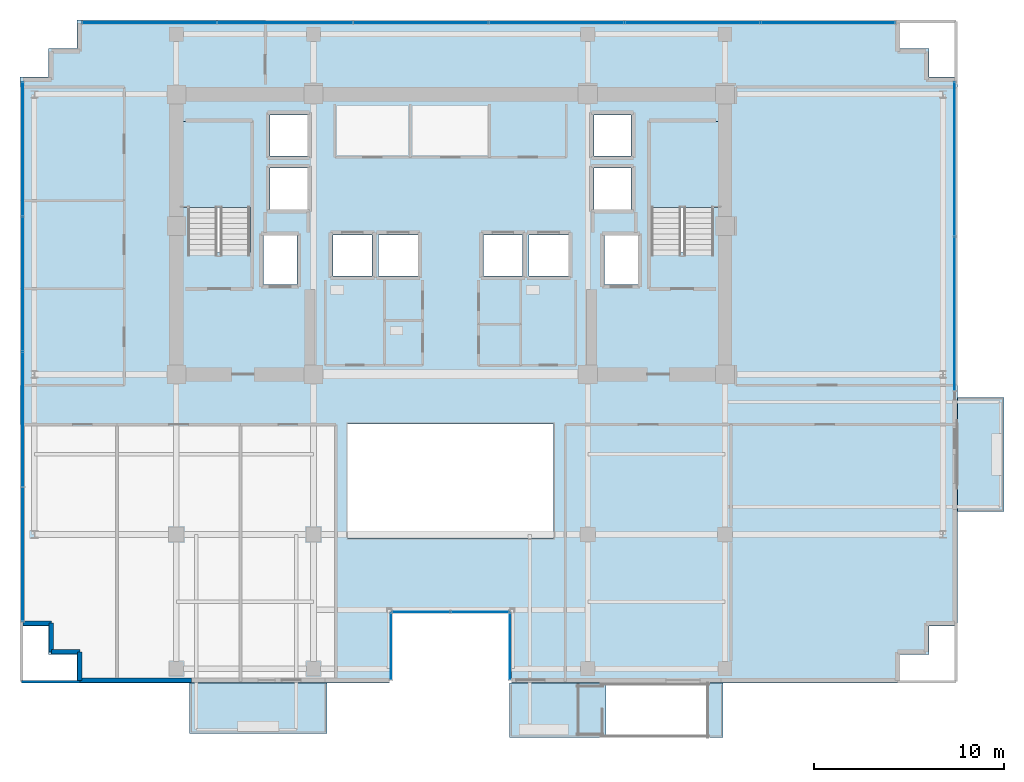
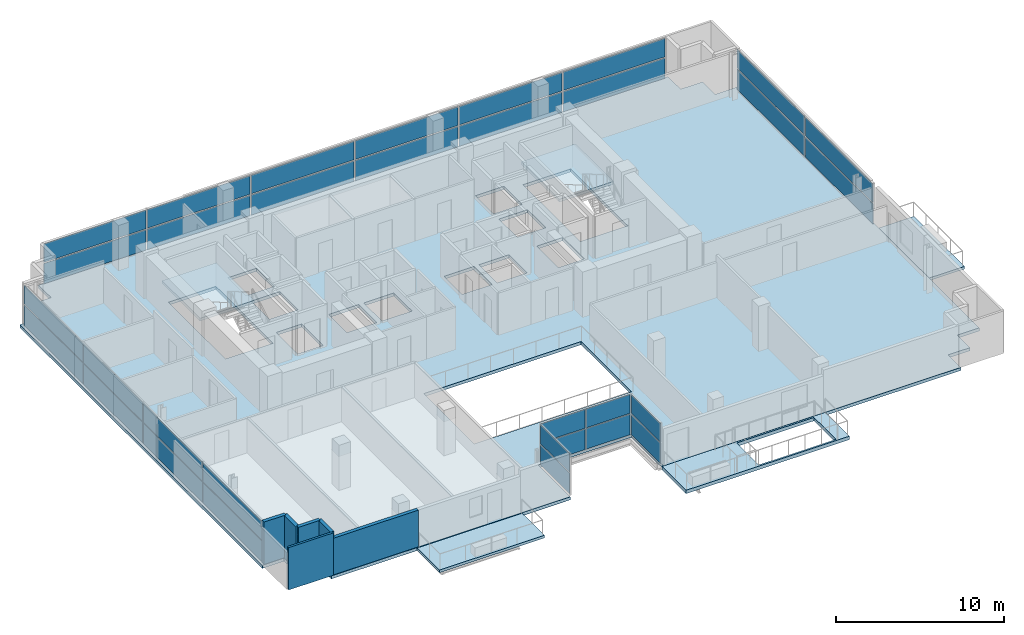
# One storey, part 15 of 23: 32 plates, 6 slabs, 6 walls, 8 elements without a shape of their own.
"""IFC4 building model written with IfcOpenShell, lengths in metres."""

from ifc_helpers import new_model, si_unit, direction, frame, frame_2d, origin, origin_2d, place, context, subcontext, project, spatial, polyline, rectangle, outline, extrude, source, transform, mapped, material, layer, layer_set, type_object, element, aggregate, save


model = new_model("IFC4")

# Units and contexts
model_context = context("Model", 3, precision=1e-05, world=origin(), true_north=direction((0.0, 1.0)))
body_context = subcontext(model_context, "Body", "Model", "MODEL_VIEW")
ifc_project = project(units=[si_unit("LENGTHUNIT", "METRE"), si_unit("AREAUNIT", "SQUARE_METRE"), si_unit("VOLUMEUNIT", "CUBIC_METRE"), si_unit("PLANEANGLEUNIT", "RADIAN"), si_unit("MASSUNIT", "GRAM", prefix="KILO")], contexts=[model_context])

# Site, building, storey
site_placement = place(None, origin())
site = spatial("IfcSite", under=ifc_project, at=site_placement, CompositionType="ELEMENT")
building_placement = place(site_placement, origin())
building = spatial("IfcBuilding", under=site, at=building_placement, Name="Zarnakvel Exchange Tower", CompositionType="ELEMENT")
storey_placement = place(building_placement, frame((0.0, 0.0, 175.89990234375)))
storey = spatial("IfcBuildingStorey", under=building, at=storey_placement, Name="L49", CompositionType="ELEMENT", Elevation=175.89990234375)

# Stair, slab
ifc_material_1 = material(Name="Concrete C40/50", Category="concrete")
stair_type = type_object("IfcStairType", Name="STR-01", PredefinedType="HALF_TURN_STAIR", material=ifc_material_1)
stair_1_placement = place(storey_placement, origin())
stair_1 = element("IfcStair", 1, at=stair_1_placement, inside=storey, type_object=stair_type, Name="L49 Protected Core Exit Stair ST-01", PredefinedType="HALF_TURN_STAIR")
ifc_layer_1 = layer(ifc_material_1, 0.199951171875)
ifc_layer_set_1 = layer_set([ifc_layer_1], Name="Concrete C40/50")
slab_type_1 = type_object("IfcSlabType", Name="LDG-01", PredefinedType="LANDING", material=ifc_layer_set_1)
slab_1_placement = place(storey_placement, frame((0.0, 0.0, 1.4501953125)))
slab_1 = element("IfcSlab", 2, at=slab_1_placement, type_object=slab_type_1, Name="ST-01 landing 1", PredefinedType="LANDING", context=body_context, shape_type="SweptSolid", body=[
    extrude(outline(polyline([(-14.18994140625, 7.570068359375), (-10.4599609375, 7.570068359375), (-10.4599609375, 12.080078125), (-14.18994140625, 12.080078125), (-14.18994140625, 7.570068359375)])), origin(), (0.0, 0.0, 1.0), 0.199951171875),
])
aggregate(stair_1, [slab_1])

stair_2_placement = place(storey_placement, origin())
stair_2 = element("IfcStair", 3, at=stair_2_placement, inside=storey, type_object=stair_type, Name="L49 Protected Core Exit Stair ST-02", PredefinedType="HALF_TURN_STAIR")
slab_2_placement = place(storey_placement, frame((0.0, 0.0, 1.4501953125)))
slab_2 = element("IfcSlab", 4, at=slab_2_placement, type_object=slab_type_1, Name="ST-02 landing 1", PredefinedType="LANDING", context=body_context, shape_type="SweptSolid", body=[
    extrude(outline(polyline([(10.4599609375, 7.570068359375), (14.18994140625, 7.570068359375), (14.18994140625, 12.080078125), (10.4599609375, 12.080078125), (10.4599609375, 7.570068359375)])), origin(), (0.0, 0.0, 1.0), 0.199951171875),
])
aggregate(stair_2, [slab_2])

# Slabs
ifc_layer_2 = layer(ifc_material_1, 0.22509765625)
ifc_layer_set_2 = layer_set([ifc_layer_2], Name="Concrete C40/50")
slab_type_2 = type_object("IfcSlabType", Name="SL-04", PredefinedType="FLOOR", material=ifc_layer_set_2)
slab_3_placement = place(storey_placement, frame((0.0, 0.0, -0.224853515625)))
element("IfcSlab", 5, at=slab_3_placement, inside=storey, type_object=slab_type_2, Name="L49 Primary Structural Floor Slab", PredefinedType="FLOOR", context=body_context, shape_type="SweptSolid", body=[
    extrude(outline(polyline([(-22.60009765625, -14.39990234375), (-21.10009765625, -14.39990234375), (-21.10009765625, -15.89990234375), (-19.60009765625, -15.89990234375), (-19.60009765625, -17.39990234375), (-3.199951171875, -17.39990234375), (-3.199951171875, -13.60009765625), (3.199951171875, -13.60009765625), (3.199951171875, -17.39990234375), (23.60009765625, -17.39990234375), (23.60009765625, -15.89990234375), (25.10009765625, -15.89990234375), (25.10009765625, -14.39990234375), (26.60009765625, -14.39990234375), (26.60009765625, 14.39990234375), (25.10009765625, 14.39990234375), (25.10009765625, 15.89990234375), (23.60009765625, 15.89990234375), (23.60009765625, 17.39990234375), (-19.60009765625, 17.39990234375), (-19.60009765625, 15.89990234375), (-21.10009765625, 15.89990234375), (-21.10009765625, 14.39990234375), (-22.60009765625, 14.39990234375), (-22.60009765625, -14.39990234375)]), holes=[polyline([(-5.39990234375, -9.800048828125), (5.39990234375, -9.800048828125), (5.39990234375, -3.800048828125), (-5.39990234375, -3.800048828125), (-5.39990234375, -9.800048828125)]), polyline([(-13.800048828125, 5.2099609375), (-10.5400390625, 5.2099609375), (-10.5400390625, 12.0), (-13.800048828125, 12.0), (-13.800048828125, 5.2099609375)]), polyline([(10.5400390625, 5.2099609375), (13.800048828125, 5.2099609375), (13.800048828125, 12.0), (10.5400390625, 12.0), (10.5400390625, 5.2099609375)]), polyline([(-9.830078125, 3.52001953125), (-8.070068359375, 3.52001953125), (-8.070068359375, 6.080078125), (-9.830078125, 6.080078125), (-9.830078125, 3.52001953125)]), polyline([(8.070068359375, 3.52001953125), (9.830078125, 3.52001953125), (9.830078125, 6.080078125), (8.070068359375, 6.080078125), (8.070068359375, 3.52001953125)]), polyline([(-6.179931640625, 3.969970703125), (-4.1201171875, 3.969970703125), (-4.1201171875, 6.1298828125), (-6.179931640625, 6.1298828125), (-6.179931640625, 3.969970703125)]), polyline([(-3.780029296875, 3.969970703125), (-1.719970703125, 3.969970703125), (-1.719970703125, 6.1298828125), (-3.780029296875, 6.1298828125), (-3.780029296875, 3.969970703125)]), polyline([(1.719970703125, 3.969970703125), (3.780029296875, 3.969970703125), (3.780029296875, 6.1298828125), (1.719970703125, 6.1298828125), (1.719970703125, 3.969970703125)]), polyline([(4.1201171875, 3.969970703125), (6.179931640625, 3.969970703125), (6.179931640625, 6.1298828125), (4.1201171875, 6.1298828125), (4.1201171875, 3.969970703125)]), polyline([(-9.47998046875, 7.469970703125), (-7.52001953125, 7.469970703125), (-7.52001953125, 9.6298828125), (-9.47998046875, 9.6298828125), (-9.47998046875, 7.469970703125)]), polyline([(-9.47998046875, 10.27001953125), (-7.52001953125, 10.27001953125), (-7.52001953125, 12.429931640625), (-9.47998046875, 12.429931640625), (-9.47998046875, 10.27001953125)]), polyline([(7.52001953125, 7.469970703125), (9.47998046875, 7.469970703125), (9.47998046875, 9.6298828125), (7.52001953125, 9.6298828125), (7.52001953125, 7.469970703125)]), polyline([(7.52001953125, 10.27001953125), (9.47998046875, 10.27001953125), (9.47998046875, 12.429931640625), (7.52001953125, 12.429931640625), (7.52001953125, 10.27001953125)])]), origin(), (0.0, 0.0, 1.0), 0.224853515625),
])
ifc_layer_3 = layer(ifc_material_1, 0.25)
ifc_layer_set_3 = layer_set([ifc_layer_3], Name="Concrete C40/50")
slab_type_3 = type_object("IfcSlabType", Name="SL-07", PredefinedType="ROOF", material=ifc_layer_set_3)
slab_4_placement = place(storey_placement, frame((0.0, 0.0, -0.25)))
element("IfcSlab", 6, at=slab_4_placement, inside=storey, type_object=slab_type_3, Name="L49 Spiral Sky-Terrace Outdoor Slab (SE)", PredefinedType="ROOF", context=body_context, shape_type="SweptSolid", body=[
    extrude(outline(polyline([(3.10009765625, -20.260009765625), (14.300048828125, -20.260009765625), (14.300048828125, -17.39990234375), (3.10009765625, -17.39990234375), (3.10009765625, -20.260009765625)]), holes=[polyline([(8.159912109375, -20.139892578125), (13.449951171875, -20.139892578125), (13.449951171875, -17.52001953125), (8.159912109375, -17.52001953125), (8.159912109375, -20.139892578125)])]), origin(), (0.0, 0.0, 1.0), 0.25),
])
ifc_layer_4 = layer(ifc_material_1, 0.18994140625)
ifc_layer_set_4 = layer_set([ifc_layer_4], Name="Concrete C40/50")
slab_type_4 = type_object("IfcSlabType", Name="SL-08", PredefinedType="USERDEFINED", material=ifc_layer_set_4)
slab_5_placement = place(storey_placement, frame((0.0, 0.0, -0.224853515625)))
element("IfcSlab", 7, at=slab_5_placement, inside=storey, type_object=slab_type_4, Name="L49 Planted Loggia Balcony Slab BAL-L49-SW", ObjectType="BALCONY", PredefinedType="USERDEFINED", context=body_context, shape_type="SweptSolid", body=[
    extrude(outline(polyline([(-13.699951171875, -20.050048828125), (-6.5, -20.050048828125), (-6.5, -17.39990234375), (-13.699951171875, -17.39990234375), (-13.699951171875, -20.050048828125)])), origin(), (0.0, 0.0, 1.0), 0.18994140625),
])
slab_6_placement = place(storey_placement, frame((0.0, 0.0, -0.224853515625)))
element("IfcSlab", 8, at=slab_6_placement, inside=storey, type_object=slab_type_4, Name="L49 Planted Loggia Balcony Slab BAL-L49-E", ObjectType="BALCONY", PredefinedType="USERDEFINED", context=body_context, shape_type="SweptSolid", body=[
    extrude(outline(polyline([(26.60009765625, -8.39990234375), (29.050048828125, -8.39990234375), (29.050048828125, -2.39990234375), (26.60009765625, -2.39990234375), (26.60009765625, -8.39990234375)])), origin(), (0.0, 0.0, 1.0), 0.18994140625),
])

# Curtain wall, plate
ifc_material_2 = material(Name="Architectural Bronze Anodised Aluminium", Category="aluminium")
ifc_layer_5 = layer(ifc_material_2, 0.179931640625)
ifc_layer_set_5 = layer_set([ifc_layer_5], Name="Architectural Bronze Anodised Aluminium")
curtain_wall_type_1 = type_object("IfcCurtainWallType", Name="CW-05", PredefinedType="NOTDEFINED", material=ifc_layer_set_5)
curtain_wall_1_placement = place(storey_placement, origin())
curtain_wall_1 = element("IfcCurtainWall", 9, at=curtain_wall_1_placement, inside=storey, type_object=curtain_wall_type_1, Name="L49 Curtain Wall CW-L49-SLW (CW-05)", PredefinedType="NOTDEFINED")
ifc_material_3 = material(Name="Double Low-E Laminated Vision Glass", Category="glass")
ifc_layer_6 = layer(ifc_material_3, 0.02587890625)
ifc_layer_set_6 = layer_set([ifc_layer_6], Name="Double Low-E Laminated Vision Glass")
plate_type_1 = type_object("IfcPlateType", Name="CWP-05", PredefinedType="CURTAIN_PANEL", material=ifc_layer_set_6)
shared_shape_1 = source(origin(), body_context, "Body", "SweptSolid", [
    extrude(rectangle(XDim=3.4599609375, YDim=0.02587890625, at=origin_2d()), origin(), (0.0, 0.0, 1.0), 1.483642578125),
])
plate_1_placement = place(storey_placement, frame((-3.1201171875, -15.47998046875, 0.0703125), z_axis=(0.0, 0.0, 1.0), x_axis=(0.0, 1.0, 0.0)))
plate_1 = element("IfcPlate", 10, at=plate_1_placement, type_object=plate_type_1, Name="CW-05 panel 1.1", PredefinedType="CURTAIN_PANEL", context=body_context, shape_type="MappedRepresentation", body=[
    mapped(shared_shape_1, transform((0.0, 0.0, 0.0), x_axis=(1.0, 0.0, 0.0), y_axis=(0.0, 1.0, 0.0), z_axis=(0.0, 0.0, 1.0), scale=1.0)),
])

curtain_wall_2_placement = place(storey_placement, origin())
curtain_wall_2 = element("IfcCurtainWall", 11, at=curtain_wall_2_placement, inside=storey, type_object=curtain_wall_type_1, Name="L49 Curtain Wall CW-L49-SLE (CW-05)", PredefinedType="NOTDEFINED")
plate_2_placement = place(storey_placement, frame((3.1201171875, -15.47998046875, 0.0703125), z_axis=(0.0, 0.0, 1.0), x_axis=(0.0, -1.0, 0.0)))
plate_2 = element("IfcPlate", 12, at=plate_2_placement, type_object=plate_type_1, Name="CW-05 panel 1.1", PredefinedType="CURTAIN_PANEL", context=body_context, shape_type="MappedRepresentation", body=[
    mapped(shared_shape_1, transform((0.0, 0.0, 0.0), x_axis=(1.0, 0.0, 0.0), y_axis=(0.0, 1.0, 0.0), z_axis=(0.0, 0.0, 1.0), scale=1.0)),
])

# Plate
shared_shape_2 = source(origin(), body_context, "Body", "SweptSolid", [
    extrude(rectangle(XDim=3.4599609375, YDim=0.02587890625, at=origin_2d()), origin(), (0.0, 0.0, 1.0), 1.361328125),
])
plate_3_placement = place(storey_placement, frame((-3.1201171875, -15.47998046875, 1.623779296875), z_axis=(0.0, 0.0, 1.0), x_axis=(0.0, 1.0, 0.0)))
plate_3 = element("IfcPlate", 13, at=plate_3_placement, type_object=plate_type_1, Name="CW-05 panel 1.2", PredefinedType="CURTAIN_PANEL", context=body_context, shape_type="MappedRepresentation", body=[
    mapped(shared_shape_2, transform((0.0, 0.0, 0.0), x_axis=(1.0, 0.0, 0.0), y_axis=(0.0, 1.0, 0.0), z_axis=(0.0, 0.0, 1.0), scale=1.0)),
])

aggregate(curtain_wall_1, [plate_1, plate_3])

plate_4_placement = place(storey_placement, frame((3.1201171875, -15.47998046875, 1.623779296875), z_axis=(0.0, 0.0, 1.0), x_axis=(0.0, -1.0, 0.0)))
plate_4 = element("IfcPlate", 14, at=plate_4_placement, type_object=plate_type_1, Name="CW-05 panel 1.2", PredefinedType="CURTAIN_PANEL", context=body_context, shape_type="MappedRepresentation", body=[
    mapped(shared_shape_2, transform((0.0, 0.0, 0.0), x_axis=(1.0, 0.0, 0.0), y_axis=(0.0, 1.0, 0.0), z_axis=(0.0, 0.0, 1.0), scale=1.0)),
])

aggregate(curtain_wall_2, [plate_2, plate_4])

# Curtain wall, plates
curtain_wall_3_placement = place(storey_placement, origin())
curtain_wall_3 = element("IfcCurtainWall", 15, at=curtain_wall_3_placement, inside=storey, type_object=curtain_wall_type_1, Name="L49 Curtain Wall CW-L49-SLB (CW-05)", PredefinedType="NOTDEFINED")
shared_shape_3 = source(origin(), body_context, "Body", "SweptSolid", [
    extrude(rectangle(XDim=3.014892578125, YDim=0.02587890625, at=origin_2d()), origin(), (0.0, 0.0, 1.0), 1.483642578125),
])
plate_5_placement = place(storey_placement, frame((-1.54248046875, -13.679931640625, 0.0703125), z_axis=(0.0, 0.0, 1.0), x_axis=(1.0, 0.0, 0.0)))
plate_5 = element("IfcPlate", 16, at=plate_5_placement, type_object=plate_type_1, Name="CW-05 panel 1.1", PredefinedType="CURTAIN_PANEL", context=body_context, shape_type="MappedRepresentation", body=[
    mapped(shared_shape_3, transform((0.0, 0.0, 0.0), x_axis=(1.0, 0.0, 0.0), y_axis=(0.0, 1.0, 0.0), z_axis=(0.0, 0.0, 1.0), scale=1.0)),
])
plate_6_placement = place(storey_placement, frame((1.54248046875, -13.679931640625, 0.0703125), z_axis=(0.0, 0.0, 1.0), x_axis=(1.0, 0.0, 0.0)))
plate_6 = element("IfcPlate", 17, at=plate_6_placement, type_object=plate_type_1, Name="CW-05 panel 2.1", PredefinedType="CURTAIN_PANEL", context=body_context, shape_type="MappedRepresentation", body=[
    mapped(shared_shape_3, transform((0.0, 0.0, 0.0), x_axis=(1.0, 0.0, 0.0), y_axis=(0.0, 1.0, 0.0), z_axis=(0.0, 0.0, 1.0), scale=1.0)),
])
shared_shape_4 = source(origin(), body_context, "Body", "SweptSolid", [
    extrude(rectangle(XDim=3.014892578125, YDim=0.02587890625, at=origin_2d()), origin(), (0.0, 0.0, 1.0), 1.361328125),
])
plate_7_placement = place(storey_placement, frame((-1.54248046875, -13.679931640625, 1.623779296875), z_axis=(0.0, 0.0, 1.0), x_axis=(1.0, 0.0, 0.0)))
plate_7 = element("IfcPlate", 18, at=plate_7_placement, type_object=plate_type_1, Name="CW-05 panel 1.2", PredefinedType="CURTAIN_PANEL", context=body_context, shape_type="MappedRepresentation", body=[
    mapped(shared_shape_4, transform((0.0, 0.0, 0.0), x_axis=(1.0, 0.0, 0.0), y_axis=(0.0, 1.0, 0.0), z_axis=(0.0, 0.0, 1.0), scale=1.0)),
])
plate_8_placement = place(storey_placement, frame((1.54248046875, -13.679931640625, 1.623779296875), z_axis=(0.0, 0.0, 1.0), x_axis=(1.0, 0.0, 0.0)))
plate_8 = element("IfcPlate", 19, at=plate_8_placement, type_object=plate_type_1, Name="CW-05 panel 2.2", PredefinedType="CURTAIN_PANEL", context=body_context, shape_type="MappedRepresentation", body=[
    mapped(shared_shape_4, transform((0.0, 0.0, 0.0), x_axis=(1.0, 0.0, 0.0), y_axis=(0.0, 1.0, 0.0), z_axis=(0.0, 0.0, 1.0), scale=1.0)),
])
aggregate(curtain_wall_3, [plate_5, plate_7, plate_6, plate_8])

ifc_layer_7 = layer(ifc_material_2, 0.219970703125)
ifc_layer_set_7 = layer_set([ifc_layer_7], Name="Architectural Bronze Anodised Aluminium")
curtain_wall_type_2 = type_object("IfcCurtainWallType", Name="CW-03", PredefinedType="NOTDEFINED", material=ifc_layer_set_7)
curtain_wall_4_placement = place(storey_placement, origin())
curtain_wall_4 = element("IfcCurtainWall", 20, at=curtain_wall_4_placement, inside=storey, type_object=curtain_wall_type_2, Name="L49 Curtain Wall CW-L49-N1 (CW-03)", PredefinedType="NOTDEFINED")
ifc_layer_8 = layer(ifc_material_3, 0.030029296875)
ifc_layer_set_8 = layer_set([ifc_layer_8], Name="Double Low-E Laminated Vision Glass")
plate_type_2 = type_object("IfcPlateType", Name="CWP-03", PredefinedType="CURTAIN_PANEL", material=ifc_layer_set_8)
shared_shape_5 = source(origin(), body_context, "Body", "SweptSolid", [
    extrude(rectangle(XDim=7.013427734375, YDim=0.030029296875, at=origin_2d()), origin(), (0.0, 0.0, 1.0), 1.468505859375),
])
plate_9_placement = place(storey_placement, frame((-15.813232421875, 17.260009765625, 0.080078125), z_axis=(0.0, 0.0, 1.0), x_axis=(1.0, 0.0, 0.0)))
plate_9 = element("IfcPlate", 21, at=plate_9_placement, type_object=plate_type_2, Name="CW-03 panel 1.1", PredefinedType="CURTAIN_PANEL", context=body_context, shape_type="MappedRepresentation", body=[
    mapped(shared_shape_5, transform((0.0, 0.0, 0.0), x_axis=(1.0, 0.0, 0.0), y_axis=(0.0, 1.0, 0.0), z_axis=(0.0, 0.0, 1.0), scale=1.0)),
])
plate_10_placement = place(storey_placement, frame((19.813232421875, 17.260009765625, 0.080078125), z_axis=(0.0, 0.0, 1.0), x_axis=(1.0, 0.0, 0.0)))
plate_10 = element("IfcPlate", 22, at=plate_10_placement, type_object=plate_type_2, Name="CW-03 panel 6.1", PredefinedType="CURTAIN_PANEL", context=body_context, shape_type="MappedRepresentation", body=[
    mapped(shared_shape_5, transform((0.0, 0.0, 0.0), x_axis=(1.0, 0.0, 0.0), y_axis=(0.0, 1.0, 0.0), z_axis=(0.0, 0.0, 1.0), scale=1.0)),
])
shared_shape_6 = source(origin(), body_context, "Body", "SweptSolid", [
    extrude(rectangle(XDim=7.013427734375, YDim=0.030029296875, at=origin_2d()), origin(), (0.0, 0.0, 1.0), 1.346435546875),
])
plate_11_placement = place(storey_placement, frame((-15.813232421875, 17.260009765625, 1.62890625), z_axis=(0.0, 0.0, 1.0), x_axis=(1.0, 0.0, 0.0)))
plate_11 = element("IfcPlate", 23, at=plate_11_placement, type_object=plate_type_2, Name="CW-03 panel 1.2", PredefinedType="CURTAIN_PANEL", context=body_context, shape_type="MappedRepresentation", body=[
    mapped(shared_shape_6, transform((0.0, 0.0, 0.0), x_axis=(1.0, 0.0, 0.0), y_axis=(0.0, 1.0, 0.0), z_axis=(0.0, 0.0, 1.0), scale=1.0)),
])
plate_12_placement = place(storey_placement, frame((19.813232421875, 17.260009765625, 1.62890625), z_axis=(0.0, 0.0, 1.0), x_axis=(1.0, 0.0, 0.0)))
plate_12 = element("IfcPlate", 24, at=plate_12_placement, type_object=plate_type_2, Name="CW-03 panel 6.2", PredefinedType="CURTAIN_PANEL", context=body_context, shape_type="MappedRepresentation", body=[
    mapped(shared_shape_6, transform((0.0, 0.0, 0.0), x_axis=(1.0, 0.0, 0.0), y_axis=(0.0, 1.0, 0.0), z_axis=(0.0, 0.0, 1.0), scale=1.0)),
])
shared_shape_7 = source(origin(), body_context, "Body", "SweptSolid", [
    extrude(rectangle(XDim=7.05322265625, YDim=0.030029296875, at=origin_2d()), origin(), (0.0, 0.0, 1.0), 1.468505859375),
])
plate_13_placement = place(storey_placement, frame((-8.699951171875, 17.260009765625, 0.080078125), z_axis=(0.0, 0.0, 1.0), x_axis=(1.0, 0.0, 0.0)))
plate_13 = element("IfcPlate", 25, at=plate_13_placement, type_object=plate_type_2, Name="CW-03 panel 2.1", PredefinedType="CURTAIN_PANEL", context=body_context, shape_type="MappedRepresentation", body=[
    mapped(shared_shape_7, transform((0.0, 0.0, 0.0), x_axis=(1.0, 0.0, 0.0), y_axis=(0.0, 1.0, 0.0), z_axis=(0.0, 0.0, 1.0), scale=1.0)),
])
plate_14_placement = place(storey_placement, frame((-1.566650390625, 17.260009765625, 0.080078125), z_axis=(0.0, 0.0, 1.0), x_axis=(1.0, 0.0, 0.0)))
plate_14 = element("IfcPlate", 26, at=plate_14_placement, type_object=plate_type_2, Name="CW-03 panel 3.1", PredefinedType="CURTAIN_PANEL", context=body_context, shape_type="MappedRepresentation", body=[
    mapped(shared_shape_7, transform((0.0, 0.0, 0.0), x_axis=(1.0, 0.0, 0.0), y_axis=(0.0, 1.0, 0.0), z_axis=(0.0, 0.0, 1.0), scale=1.0)),
])
plate_15_placement = place(storey_placement, frame((5.566650390625, 17.260009765625, 0.080078125), z_axis=(0.0, 0.0, 1.0), x_axis=(1.0, 0.0, 0.0)))
plate_15 = element("IfcPlate", 27, at=plate_15_placement, type_object=plate_type_2, Name="CW-03 panel 4.1", PredefinedType="CURTAIN_PANEL", context=body_context, shape_type="MappedRepresentation", body=[
    mapped(shared_shape_7, transform((0.0, 0.0, 0.0), x_axis=(1.0, 0.0, 0.0), y_axis=(0.0, 1.0, 0.0), z_axis=(0.0, 0.0, 1.0), scale=1.0)),
])
plate_16_placement = place(storey_placement, frame((12.699951171875, 17.260009765625, 0.080078125), z_axis=(0.0, 0.0, 1.0), x_axis=(1.0, 0.0, 0.0)))
plate_16 = element("IfcPlate", 28, at=plate_16_placement, type_object=plate_type_2, Name="CW-03 panel 5.1", PredefinedType="CURTAIN_PANEL", context=body_context, shape_type="MappedRepresentation", body=[
    mapped(shared_shape_7, transform((0.0, 0.0, 0.0), x_axis=(1.0, 0.0, 0.0), y_axis=(0.0, 1.0, 0.0), z_axis=(0.0, 0.0, 1.0), scale=1.0)),
])
shared_shape_8 = source(origin(), body_context, "Body", "SweptSolid", [
    extrude(rectangle(XDim=7.05322265625, YDim=0.030029296875, at=origin_2d()), origin(), (0.0, 0.0, 1.0), 1.346435546875),
])
plate_17_placement = place(storey_placement, frame((-8.699951171875, 17.260009765625, 1.62890625), z_axis=(0.0, 0.0, 1.0), x_axis=(1.0, 0.0, 0.0)))
plate_17 = element("IfcPlate", 29, at=plate_17_placement, type_object=plate_type_2, Name="CW-03 panel 2.2", PredefinedType="CURTAIN_PANEL", context=body_context, shape_type="MappedRepresentation", body=[
    mapped(shared_shape_8, transform((0.0, 0.0, 0.0), x_axis=(1.0, 0.0, 0.0), y_axis=(0.0, 1.0, 0.0), z_axis=(0.0, 0.0, 1.0), scale=1.0)),
])
plate_18_placement = place(storey_placement, frame((-1.566650390625, 17.260009765625, 1.62890625), z_axis=(0.0, 0.0, 1.0), x_axis=(1.0, 0.0, 0.0)))
plate_18 = element("IfcPlate", 30, at=plate_18_placement, type_object=plate_type_2, Name="CW-03 panel 3.2", PredefinedType="CURTAIN_PANEL", context=body_context, shape_type="MappedRepresentation", body=[
    mapped(shared_shape_8, transform((0.0, 0.0, 0.0), x_axis=(1.0, 0.0, 0.0), y_axis=(0.0, 1.0, 0.0), z_axis=(0.0, 0.0, 1.0), scale=1.0)),
])
plate_19_placement = place(storey_placement, frame((5.566650390625, 17.260009765625, 1.62890625), z_axis=(0.0, 0.0, 1.0), x_axis=(1.0, 0.0, 0.0)))
plate_19 = element("IfcPlate", 31, at=plate_19_placement, type_object=plate_type_2, Name="CW-03 panel 4.2", PredefinedType="CURTAIN_PANEL", context=body_context, shape_type="MappedRepresentation", body=[
    mapped(shared_shape_8, transform((0.0, 0.0, 0.0), x_axis=(1.0, 0.0, 0.0), y_axis=(0.0, 1.0, 0.0), z_axis=(0.0, 0.0, 1.0), scale=1.0)),
])
plate_20_placement = place(storey_placement, frame((12.699951171875, 17.260009765625, 1.62890625), z_axis=(0.0, 0.0, 1.0), x_axis=(1.0, 0.0, 0.0)))
plate_20 = element("IfcPlate", 32, at=plate_20_placement, type_object=plate_type_2, Name="CW-03 panel 5.2", PredefinedType="CURTAIN_PANEL", context=body_context, shape_type="MappedRepresentation", body=[
    mapped(shared_shape_8, transform((0.0, 0.0, 0.0), x_axis=(1.0, 0.0, 0.0), y_axis=(0.0, 1.0, 0.0), z_axis=(0.0, 0.0, 1.0), scale=1.0)),
])
aggregate(curtain_wall_4, [plate_9, plate_11, plate_13, plate_17, plate_14, plate_18, plate_15, plate_19, plate_16, plate_20, plate_10, plate_12])

ifc_layer_9 = layer(ifc_material_2, 0.199951171875)
ifc_layer_set_9 = layer_set([ifc_layer_9], Name="Architectural Bronze Anodised Aluminium")
curtain_wall_type_3 = type_object("IfcCurtainWallType", Name="CW-04", PredefinedType="NOTDEFINED", material=ifc_layer_set_9)
curtain_wall_5_placement = place(storey_placement, origin())
curtain_wall_5 = element("IfcCurtainWall", 33, at=curtain_wall_5_placement, inside=storey, type_object=curtain_wall_type_3, Name="L49 Curtain Wall CW-L49-EN (CW-04)", PredefinedType="NOTDEFINED")
ifc_layer_10 = layer(ifc_material_3, 0.028076171875)
ifc_layer_set_10 = layer_set([ifc_layer_10], Name="Double Low-E Laminated Vision Glass")
plate_type_3 = type_object("IfcPlateType", Name="CWP-04", PredefinedType="CURTAIN_PANEL", material=ifc_layer_set_10)
shared_shape_9 = source(origin(), body_context, "Body", "SweptSolid", [
    extrude(rectangle(XDim=8.03759765625, YDim=0.028076171875, at=origin_2d()), origin(), (0.0, 0.0, 1.0), 1.47607421875),
])
plate_21_placement = place(storey_placement, frame((26.4599609375, 1.99365234375, 0.0751953125), z_axis=(0.0, 0.0, 1.0), x_axis=(0.0, 1.0, 0.0)))
plate_21 = element("IfcPlate", 34, at=plate_21_placement, type_object=plate_type_3, Name="CW-04 panel 1.1", PredefinedType="CURTAIN_PANEL", context=body_context, shape_type="MappedRepresentation", body=[
    mapped(shared_shape_9, transform((0.0, 0.0, 0.0), x_axis=(1.0, 0.0, 0.0), y_axis=(0.0, 1.0, 0.0), z_axis=(0.0, 0.0, 1.0), scale=1.0)),
])
plate_22_placement = place(storey_placement, frame((26.4599609375, 10.106201171875, 0.0751953125), z_axis=(0.0, 0.0, 1.0), x_axis=(0.0, 1.0, 0.0)))
plate_22 = element("IfcPlate", 35, at=plate_22_placement, type_object=plate_type_3, Name="CW-04 panel 2.1", PredefinedType="CURTAIN_PANEL", context=body_context, shape_type="MappedRepresentation", body=[
    mapped(shared_shape_9, transform((0.0, 0.0, 0.0), x_axis=(1.0, 0.0, 0.0), y_axis=(0.0, 1.0, 0.0), z_axis=(0.0, 0.0, 1.0), scale=1.0)),
])
shared_shape_10 = source(origin(), body_context, "Body", "SweptSolid", [
    extrude(rectangle(XDim=8.03759765625, YDim=0.028076171875, at=origin_2d()), origin(), (0.0, 0.0, 1.0), 1.35400390625),
])
plate_23_placement = place(storey_placement, frame((26.4599609375, 1.99365234375, 1.626220703125), z_axis=(0.0, 0.0, 1.0), x_axis=(0.0, 1.0, 0.0)))
plate_23 = element("IfcPlate", 36, at=plate_23_placement, type_object=plate_type_3, Name="CW-04 panel 1.2", PredefinedType="CURTAIN_PANEL", context=body_context, shape_type="MappedRepresentation", body=[
    mapped(shared_shape_10, transform((0.0, 0.0, 0.0), x_axis=(1.0, 0.0, 0.0), y_axis=(0.0, 1.0, 0.0), z_axis=(0.0, 0.0, 1.0), scale=1.0)),
])
plate_24_placement = place(storey_placement, frame((26.4599609375, 10.106201171875, 1.626220703125), z_axis=(0.0, 0.0, 1.0), x_axis=(0.0, 1.0, 0.0)))
plate_24 = element("IfcPlate", 37, at=plate_24_placement, type_object=plate_type_3, Name="CW-04 panel 2.2", PredefinedType="CURTAIN_PANEL", context=body_context, shape_type="MappedRepresentation", body=[
    mapped(shared_shape_10, transform((0.0, 0.0, 0.0), x_axis=(1.0, 0.0, 0.0), y_axis=(0.0, 1.0, 0.0), z_axis=(0.0, 0.0, 1.0), scale=1.0)),
])
aggregate(curtain_wall_5, [plate_21, plate_23, plate_22, plate_24])

curtain_wall_6_placement = place(storey_placement, origin())
curtain_wall_6 = element("IfcCurtainWall", 38, at=curtain_wall_6_placement, inside=storey, type_object=curtain_wall_type_3, Name="L49 Curtain Wall CW-L49-W1 (CW-04)", PredefinedType="NOTDEFINED")
shared_shape_11 = source(origin(), body_context, "Body", "SweptSolid", [
    extrude(rectangle(XDim=6.987548828125, YDim=0.028076171875, at=origin_2d()), origin(), (0.0, 0.0, 1.0), 1.47607421875),
])
plate_25_placement = place(storey_placement, frame((-22.4599609375, -10.63134765625, 0.0751953125), z_axis=(0.0, 0.0, 1.0), x_axis=(0.0, 1.0, 0.0)))
plate_25 = element("IfcPlate", 39, at=plate_25_placement, type_object=plate_type_3, Name="CW-04 panel 1.1", PredefinedType="CURTAIN_PANEL", context=body_context, shape_type="MappedRepresentation", body=[
    mapped(shared_shape_11, transform((0.0, 0.0, 0.0), x_axis=(1.0, 0.0, 0.0), y_axis=(0.0, 1.0, 0.0), z_axis=(0.0, 0.0, 1.0), scale=1.0)),
])
plate_26_placement = place(storey_placement, frame((-22.4599609375, 10.63134765625, 0.0751953125), z_axis=(0.0, 0.0, 1.0), x_axis=(0.0, 1.0, 0.0)))
plate_26 = element("IfcPlate", 40, at=plate_26_placement, type_object=plate_type_3, Name="CW-04 panel 4.1", PredefinedType="CURTAIN_PANEL", context=body_context, shape_type="MappedRepresentation", body=[
    mapped(shared_shape_11, transform((0.0, 0.0, 0.0), x_axis=(1.0, 0.0, 0.0), y_axis=(0.0, 1.0, 0.0), z_axis=(0.0, 0.0, 1.0), scale=1.0)),
])
shared_shape_12 = source(origin(), body_context, "Body", "SweptSolid", [
    extrude(rectangle(XDim=6.987548828125, YDim=0.028076171875, at=origin_2d()), origin(), (0.0, 0.0, 1.0), 1.35400390625),
])
plate_27_placement = place(storey_placement, frame((-22.4599609375, -10.63134765625, 1.626220703125), z_axis=(0.0, 0.0, 1.0), x_axis=(0.0, 1.0, 0.0)))
plate_27 = element("IfcPlate", 41, at=plate_27_placement, type_object=plate_type_3, Name="CW-04 panel 1.2", PredefinedType="CURTAIN_PANEL", context=body_context, shape_type="MappedRepresentation", body=[
    mapped(shared_shape_12, transform((0.0, 0.0, 0.0), x_axis=(1.0, 0.0, 0.0), y_axis=(0.0, 1.0, 0.0), z_axis=(0.0, 0.0, 1.0), scale=1.0)),
])
plate_28_placement = place(storey_placement, frame((-22.4599609375, 10.63134765625, 1.626220703125), z_axis=(0.0, 0.0, 1.0), x_axis=(0.0, 1.0, 0.0)))
plate_28 = element("IfcPlate", 42, at=plate_28_placement, type_object=plate_type_3, Name="CW-04 panel 4.2", PredefinedType="CURTAIN_PANEL", context=body_context, shape_type="MappedRepresentation", body=[
    mapped(shared_shape_12, transform((0.0, 0.0, 0.0), x_axis=(1.0, 0.0, 0.0), y_axis=(0.0, 1.0, 0.0), z_axis=(0.0, 0.0, 1.0), scale=1.0)),
])
shared_shape_13 = source(origin(), body_context, "Body", "SweptSolid", [
    extrude(rectangle(XDim=7.02490234375, YDim=0.028076171875, at=origin_2d()), origin(), (0.0, 0.0, 1.0), 1.47607421875),
])
plate_29_placement = place(storey_placement, frame((-22.4599609375, -3.550048828125, 0.0751953125), z_axis=(0.0, 0.0, 1.0), x_axis=(0.0, 1.0, 0.0)))
plate_29 = element("IfcPlate", 43, at=plate_29_placement, type_object=plate_type_3, Name="CW-04 panel 2.1", PredefinedType="CURTAIN_PANEL", context=body_context, shape_type="MappedRepresentation", body=[
    mapped(shared_shape_13, transform((0.0, 0.0, 0.0), x_axis=(1.0, 0.0, 0.0), y_axis=(0.0, 1.0, 0.0), z_axis=(0.0, 0.0, 1.0), scale=1.0)),
])
plate_30_placement = place(storey_placement, frame((-22.4599609375, 3.550048828125, 0.0751953125), z_axis=(0.0, 0.0, 1.0), x_axis=(0.0, 1.0, 0.0)))
plate_30 = element("IfcPlate", 44, at=plate_30_placement, type_object=plate_type_3, Name="CW-04 panel 3.1", PredefinedType="CURTAIN_PANEL", context=body_context, shape_type="MappedRepresentation", body=[
    mapped(shared_shape_13, transform((0.0, 0.0, 0.0), x_axis=(1.0, 0.0, 0.0), y_axis=(0.0, 1.0, 0.0), z_axis=(0.0, 0.0, 1.0), scale=1.0)),
])
shared_shape_14 = source(origin(), body_context, "Body", "SweptSolid", [
    extrude(rectangle(XDim=7.02490234375, YDim=0.028076171875, at=origin_2d()), origin(), (0.0, 0.0, 1.0), 1.35400390625),
])
plate_31_placement = place(storey_placement, frame((-22.4599609375, -3.550048828125, 1.626220703125), z_axis=(0.0, 0.0, 1.0), x_axis=(0.0, 1.0, 0.0)))
plate_31 = element("IfcPlate", 45, at=plate_31_placement, type_object=plate_type_3, Name="CW-04 panel 2.2", PredefinedType="CURTAIN_PANEL", context=body_context, shape_type="MappedRepresentation", body=[
    mapped(shared_shape_14, transform((0.0, 0.0, 0.0), x_axis=(1.0, 0.0, 0.0), y_axis=(0.0, 1.0, 0.0), z_axis=(0.0, 0.0, 1.0), scale=1.0)),
])
plate_32_placement = place(storey_placement, frame((-22.4599609375, 3.550048828125, 1.626220703125), z_axis=(0.0, 0.0, 1.0), x_axis=(0.0, 1.0, 0.0)))
plate_32 = element("IfcPlate", 46, at=plate_32_placement, type_object=plate_type_3, Name="CW-04 panel 3.2", PredefinedType="CURTAIN_PANEL", context=body_context, shape_type="MappedRepresentation", body=[
    mapped(shared_shape_14, transform((0.0, 0.0, 0.0), x_axis=(1.0, 0.0, 0.0), y_axis=(0.0, 1.0, 0.0), z_axis=(0.0, 0.0, 1.0), scale=1.0)),
])
aggregate(curtain_wall_6, [plate_25, plate_27, plate_29, plate_31, plate_30, plate_32, plate_26, plate_28])

# Walls
ifc_material_4 = material(Name="Precast concrete C40/50", Category="concrete")
ifc_layer_11 = layer(ifc_material_4, 0.239990234375)
ifc_layer_set_11 = layer_set([ifc_layer_11], Name="Precast concrete C40/50")
wall_type_1 = type_object("IfcWallType", Name="EW-02", PredefinedType="SOLIDWALL", material=ifc_layer_set_11)
wall_1_placement = place(storey_placement, frame((-19.4599609375, -17.260009765625, 0.0), z_axis=(0.0, 0.0, 1.0), x_axis=(1.0, 0.0, 0.0)))
element("IfcWall", 47, at=wall_1_placement, inside=storey, type_object=wall_type_1, Name="L49 Exterior Precast Spandrel Wall EWC-L49-21 (EW-02)", PredefinedType="SOLIDWALL", context=body_context, shape_type="SweptSolid", body=[
    extrude(rectangle(XDim=5.85986328125, YDim=0.239990234375, at=frame_2d((2.929931640625, 0.0))), origin(), (0.0, 0.0, 1.0), 2.6650390625),
])
for number, where, z_axis, x_axis, name in (
    (48, (-19.4599609375, -15.760009765625, 0.0), (0.0, 0.0, 1.0), (0.0, -1.0, 0.0), "L49 Exterior Precast Spandrel Wall EWC-L49-22 (EW-02)"),
    (49, (-20.9599609375, -15.760009765625, 0.0), (0.0, 0.0, 1.0), (1.0, 0.0, 0.0), "L49 Exterior Precast Spandrel Wall EWC-L49-23 (EW-02)"),
    (50, (-20.9599609375, -14.260009765625, 0.0), (0.0, 0.0, 1.0), (0.0, -1.0, 0.0), "L49 Exterior Precast Spandrel Wall EWC-L49-24 (EW-02)"),
    (51, (-22.4599609375, -14.260009765625, 0.0), (0.0, 0.0, 1.0), (1.0, 0.0, 0.0), "L49 Exterior Precast Spandrel Wall EWC-L49-25 (EW-02)"),
):
    element("IfcWall", number, at=place(storey_placement, frame(where, z_axis=z_axis, x_axis=x_axis)), inside=storey, type_object=wall_type_1, Name=name, PredefinedType="SOLIDWALL", context=body_context, shape_type="SweptSolid", body=[
        extrude(rectangle(XDim=1.5, YDim=0.239990234375, at=frame_2d((0.75, 0.0))), origin(), (0.0, 0.0, 1.0), 3.0751953125),
    ])
ifc_material_5 = material(Name="Fire-Rated Gypsum Stud Partition", Category="gypsum")
ifc_layer_12 = layer(ifc_material_5, 0.14990234375)
ifc_layer_set_12 = layer_set([ifc_layer_12], Name="Fire-Rated Gypsum Stud Partition")
wall_type_2 = type_object("IfcWallType", Name="PT-01", PredefinedType="PARTITIONING", material=ifc_layer_set_12)
wall_2_placement = place(storey_placement, frame((-19.4599609375, -17.330078125, 0.0), z_axis=(0.0, 0.0, 1.0), x_axis=(-1.0, 0.0, 0.0)))
element("IfcWall", 52, at=wall_2_placement, inside=storey, type_object=wall_type_2, Name="L49 Partition Wall PWALL-L49-033 (PT-01)", PredefinedType="PARTITIONING", context=body_context, shape_type="SweptSolid", body=[
    extrude(rectangle(XDim=3.070068359375, YDim=0.14990234375, at=frame_2d((1.53515625, 0.0))), origin(), (0.0, 0.0, 1.0), 3.0751953125),
])

save(model, "model.ifc")
